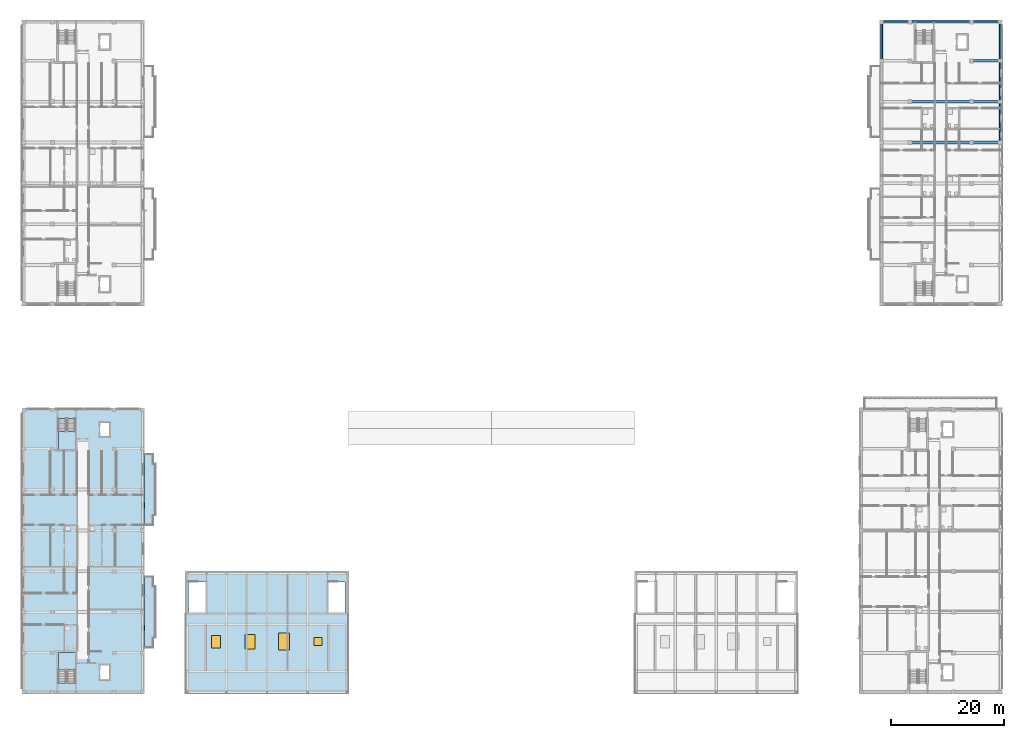
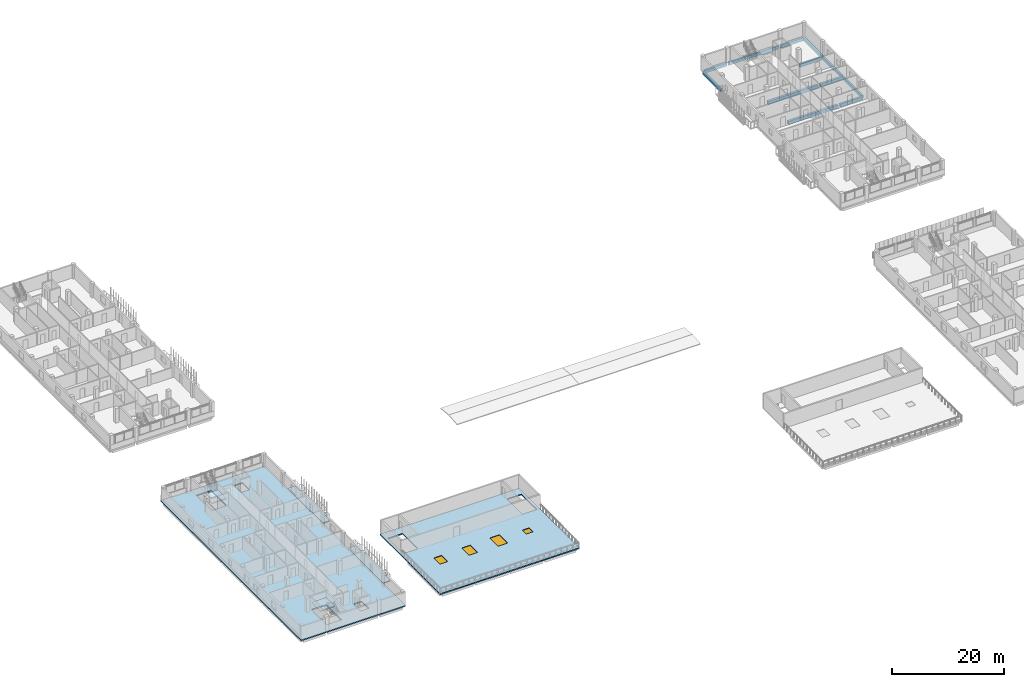
# One storey, part 21 of 56: 12 beams, 6 slabs, 4 windows, 4 openings, 2 elements without a shape of their own.
"""IFC4 building model written with IfcOpenShell, lengths in metres."""

from ifc_helpers import new_model, si_unit, derived_unit, direction, frame, origin, origin_2d, place, context, subcontext, project, spatial, polyline, rectangle, outline, extrude, material, layer, layer_set, material_profile, profile_set, type_object, element, fill, aggregate, save


model = new_model("IFC4")

# Units and contexts
model_context = context("Model", 3, precision=1e-05, world=origin(), true_north=direction((0.0, 1.0)))
body_context = subcontext(model_context, "Body", "Model", "MODEL_VIEW")
ifc_project = project(units=[si_unit("LENGTHUNIT", "METRE"), si_unit("AREAUNIT", "SQUARE_METRE"), si_unit("VOLUMEUNIT", "CUBIC_METRE"), si_unit("PLANEANGLEUNIT", "RADIAN"), si_unit("MASSUNIT", "GRAM", prefix="KILO"), derived_unit("THERMALTRANSMITTANCEUNIT", [(si_unit("MASSUNIT", "GRAM", prefix="KILO"), 1), (si_unit("TIMEUNIT", "SECOND"), -3), (si_unit("THERMODYNAMICTEMPERATUREUNIT", "KELVIN"), -1)])], contexts=[model_context])

# Site, building, storey
site_placement = place(None, origin())
site = spatial("IfcSite", under=ifc_project, at=site_placement, CompositionType="ELEMENT")
building_placement = place(site_placement, origin())
building = spatial("IfcBuilding", under=site, at=building_placement, Name="Ochrekiln Boulevard Commons", CompositionType="ELEMENT")
storey_placement = place(building_placement, frame((0.0, 0.0, 12.074951171875)))
storey = spatial("IfcBuildingStorey", under=building, at=storey_placement, Name="L03", CompositionType="ELEMENT", Elevation=12.074951171875)

# Beams
ifc_material_1 = material(Name="Concrete C35/45", Category="concrete")
ifc_material_profile_1 = material_profile(ifc_material_1, rectangle(XDim=0.449951171875, YDim=0.64990234375, at=origin_2d()), Name="RC-BM-450x650")
ifc_profile_set_1 = profile_set([ifc_material_profile_1], Name="Concrete C35/45")
beam_type_1 = type_object("IfcBeamType", Name="BM-RC-450x650", PredefinedType="BEAM", material=ifc_profile_set_1)
for number, where, z_axis, x_axis, name in (
    (1, (167.610107421875, 97.199951171875, -0.5849609375), (1.0, 0.0, 0.0), (0.0, 1.0, 0.0), "Block B L03 Beam B-4565 X14"),
    (2, (167.610107421875, 104.39990234375, -0.5849609375), (1.0, 0.0, 0.0), (0.0, 1.0, 0.0), "Block B L03 Beam B-4565 X17"),
    (3, (167.610107421875, 111.60009765625, -0.5849609375), (1.0, 0.0, 0.0), (0.0, 1.0, 0.0), "Block B L03 Beam B-4565 X19"),
):
    element("IfcBeam", number, at=place(storey_placement, frame(where, z_axis=z_axis, x_axis=x_axis)), inside=storey, type_object=beam_type_1, Name=name, PredefinedType="BEAM", context=body_context, shape_type="SweptSolid", body=[
        extrude(rectangle(XDim=0.449951171875, YDim=0.64990234375, at=origin_2d()), origin(), (0.0, 0.0, 1.0), 4.6298828125),
    ])
ifc_material_2 = material(Name="Concrete C40/50", Category="concrete")
ifc_material_profile_2 = material_profile(ifc_material_2, rectangle(XDim=0.5, YDim=0.699951171875, at=origin_2d()), Name="RC-BM-500x700")
ifc_profile_set_2 = profile_set([ifc_material_profile_2], Name="Concrete C40/50")
beam_type_2 = type_object("IfcBeamType", Name="BM-RC-500x700", PredefinedType="BEAM", material=ifc_profile_set_2)
for number, where, z_axis, x_axis, name in (
    (4, (156.81005859375, 97.199951171875, -0.60986328125), (1.0, 0.0, 0.0), (0.0, 1.0, 0.0), "Block B L03 Beam B-5070 X13"),
    (5, (156.81005859375, 104.39990234375, -0.60986328125), (1.0, 0.0, 0.0), (0.0, 1.0, 0.0), "Block B L03 Beam B-5070 X16"),
):
    element("IfcBeam", number, at=place(storey_placement, frame(where, z_axis=z_axis, x_axis=x_axis)), inside=storey, type_object=beam_type_2, Name=name, PredefinedType="BEAM", context=body_context, shape_type="SweptSolid", body=[
        extrude(rectangle(XDim=0.5, YDim=0.699951171875, at=origin_2d()), origin(), (0.0, 0.0, 1.0), 10.3798828125),
    ])
ifc_material_profile_3 = material_profile(ifc_material_2, rectangle(XDim=0.35009765625, YDim=0.64990234375, at=origin_2d()), Name="RC-SPN-350x650")
ifc_profile_set_3 = profile_set([ifc_material_profile_3], Name="Concrete C40/50")
beam_type_3 = type_object("IfcBeamType", Name="SPN-RC-350x650", PredefinedType="SPANDREL", material=ifc_profile_set_3)
beam_1_placement = place(storey_placement, frame((151.760009765625, 118.449951171875, -0.5849609375), z_axis=(1.0, 0.0, 0.0), x_axis=(0.0, 1.0, 0.0)))
element("IfcBeam", 6, at=beam_1_placement, inside=storey, type_object=beam_type_3, Name="Block B L03 Beam SP-3565 X20", PredefinedType="SPANDREL", context=body_context, shape_type="SweptSolid", body=[
    extrude(rectangle(XDim=0.35009765625, YDim=0.64990234375, at=origin_2d()), origin(), (0.0, 0.0, 1.0), 4.6298828125),
])
beam_2_placement = place(storey_placement, frame((156.81005859375, 118.449951171875, -0.5849609375), z_axis=(1.0, 0.0, 0.0), x_axis=(0.0, 1.0, 0.0)))
element("IfcBeam", 7, at=beam_2_placement, inside=storey, type_object=beam_type_3, Name="Block B L03 Beam SP-3565 X21", PredefinedType="SPANDREL", context=body_context, shape_type="SweptSolid", body=[
    extrude(rectangle(XDim=0.35009765625, YDim=0.64990234375, at=origin_2d()), origin(), (0.0, 0.0, 1.0), 10.3798828125),
])
beam_3_placement = place(storey_placement, frame((167.610107421875, 118.449951171875, -0.5849609375), z_axis=(1.0, 0.0, 0.0), x_axis=(0.0, 1.0, 0.0)))
element("IfcBeam", 8, at=beam_3_placement, inside=storey, type_object=beam_type_3, Name="Block B L03 Beam SP-3565 X22", PredefinedType="SPANDREL", context=body_context, shape_type="SweptSolid", body=[
    extrude(rectangle(XDim=0.35009765625, YDim=0.64990234375, at=origin_2d()), origin(), (0.0, 0.0, 1.0), 4.6298828125),
])
beam_4_placement = place(storey_placement, frame((151.550048828125, 111.81005859375, -0.5849609375), z_axis=(0.0, 1.0, 0.0), x_axis=(-1.0, 0.0, 0.0)))
element("IfcBeam", 9, at=beam_4_placement, inside=storey, type_object=beam_type_3, Name="Block B L03 Beam SP-3565 Y29", PredefinedType="SPANDREL", context=body_context, shape_type="SweptSolid", body=[
    extrude(rectangle(XDim=0.35009765625, YDim=0.64990234375, at=origin_2d()), origin(), (0.0, 0.0, 1.0), 6.429931640625),
])
beam_5_placement = place(storey_placement, frame((172.449951171875, 97.409912109375, -0.5849609375), z_axis=(0.0, 1.0, 0.0), x_axis=(-1.0, 0.0, 0.0)))
element("IfcBeam", 10, at=beam_5_placement, inside=storey, type_object=beam_type_3, Name="Block B L03 Beam SP-3565 Y34", PredefinedType="SPANDREL", context=body_context, shape_type="SweptSolid", body=[
    extrude(rectangle(XDim=0.35009765625, YDim=0.64990234375, at=origin_2d()), origin(), (0.0, 0.0, 1.0), 6.780029296875),
])
beam_6_placement = place(storey_placement, frame((172.449951171875, 104.610107421875, -0.5849609375), z_axis=(0.0, 1.0, 0.0), x_axis=(-1.0, 0.0, 0.0)))
element("IfcBeam", 11, at=beam_6_placement, inside=storey, type_object=beam_type_3, Name="Block B L03 Beam SP-3565 Y35", PredefinedType="SPANDREL", context=body_context, shape_type="SweptSolid", body=[
    extrude(rectangle(XDim=0.35009765625, YDim=0.64990234375, at=origin_2d()), origin(), (0.0, 0.0, 1.0), 6.77978515625),
])
beam_7_placement = place(storey_placement, frame((172.449951171875, 111.81005859375, -0.5849609375), z_axis=(0.0, 1.0, 0.0), x_axis=(-1.0, 0.0, 0.0)))
element("IfcBeam", 12, at=beam_7_placement, inside=storey, type_object=beam_type_3, Name="Block B L03 Beam SP-3565 Y36", PredefinedType="SPANDREL", context=body_context, shape_type="SweptSolid", body=[
    extrude(rectangle(XDim=0.35009765625, YDim=0.64990234375, at=origin_2d()), origin(), (0.0, 0.0, 1.0), 6.429931640625),
])

# Slabs
ifc_layer_1 = layer(ifc_material_1, 0.219970703125)
ifc_layer_set_1 = layer_set([ifc_layer_1], Name="Concrete C35/45")
slab_type_1 = type_object("IfcSlabType", Name="SLB-BAL-220", PredefinedType="FLOOR", material=ifc_layer_set_1)
slab_1_placement = place(storey_placement, frame((0.0, 0.0, -0.219970703125)))
element("IfcSlab", 13, at=slab_1_placement, inside=storey, type_object=slab_type_1, Name="Block D L03 Planter-Box Balcony Slab 1", PredefinedType="FLOOR", context=body_context, shape_type="SweptSolid", body=[
    extrude(outline(polyline([(21.60009765625, 8.10009765625), (23.14990234375, 8.10009765625), (23.14990234375, 9.89990234375), (23.60009765625, 9.89990234375), (23.60009765625, 18.89990234375), (23.14990234375, 18.89990234375), (23.14990234375, 20.699951171875), (21.60009765625, 20.699951171875), (21.60009765625, 8.10009765625)])), origin(), (0.0, 0.0, 1.0), 0.219970703125),
])
slab_2_placement = place(storey_placement, frame((0.0, 0.0, -0.219970703125)))
element("IfcSlab", 14, at=slab_2_placement, inside=storey, type_object=slab_type_1, Name="Block D L03 Planter-Box Balcony Slab 2", PredefinedType="FLOOR", context=body_context, shape_type="SweptSolid", body=[
    extrude(outline(polyline([(21.60009765625, 29.699951171875), (23.14990234375, 29.699951171875), (23.14990234375, 31.5), (23.60009765625, 31.5), (23.60009765625, 40.5), (23.14990234375, 40.5), (23.14990234375, 42.300048828125), (21.60009765625, 42.300048828125), (21.60009765625, 29.699951171875)])), origin(), (0.0, 0.0, 1.0), 0.219970703125),
])

# Stair, slab
stair_type = type_object("IfcStairType", Name="STR-DL-315", PredefinedType="TWO_STRAIGHT_RUN_STAIR", material=ifc_material_1)
stair_1_placement = place(storey_placement, origin())
stair_1 = element("IfcStair", 15, at=stair_1_placement, inside=storey, type_object=stair_type, Name="L03 Enclosed Exit Stair ST-D1", PredefinedType="TWO_STRAIGHT_RUN_STAIR")
ifc_layer_2 = layer(ifc_material_1, 0.199951171875)
ifc_layer_set_2 = layer_set([ifc_layer_2], Name="Concrete C35/45")
slab_type_2 = type_object("IfcSlabType", Name="SLB-LND-200", PredefinedType="LANDING", material=ifc_layer_set_2)
slab_3_placement = place(storey_placement, frame((0.0, 0.0, 1.375)))
slab_3 = element("IfcSlab", 16, at=slab_3_placement, type_object=slab_type_2, Name="ST-D1 landing 1", PredefinedType="LANDING", context=body_context, shape_type="SweptSolid", body=[
    extrude(outline(polyline([(9.39990234375, 4.18994140625), (9.39990234375, 7.320068359375), (6.39990234375, 7.320068359375), (6.39990234375, 4.18994140625), (9.39990234375, 4.18994140625)])), origin(), (0.0, 0.0, 1.0), 0.199951171875),
])
aggregate(stair_1, [slab_3])

stair_2_placement = place(storey_placement, origin())
stair_2 = element("IfcStair", 17, at=stair_2_placement, inside=storey, type_object=stair_type, Name="L03 Enclosed Exit Stair ST-D2", PredefinedType="TWO_STRAIGHT_RUN_STAIR")
slab_4_placement = place(storey_placement, frame((0.0, 0.0, 1.375)))
slab_4 = element("IfcSlab", 18, at=slab_4_placement, type_object=slab_type_2, Name="ST-D2 landing 1", PredefinedType="LANDING", context=body_context, shape_type="SweptSolid", body=[
    extrude(outline(polyline([(6.39990234375, 46.2099609375), (6.39990234375, 43.080078125), (9.39990234375, 43.080078125), (9.39990234375, 46.2099609375), (6.39990234375, 46.2099609375)])), origin(), (0.0, 0.0, 1.0), 0.199951171875),
])
aggregate(stair_2, [slab_4])

# Slab
ifc_layer_3 = layer(ifc_material_1, 0.260009765625)
ifc_layer_set_3 = layer_set([ifc_layer_3], Name="Concrete C35/45")
slab_type_3 = type_object("IfcSlabType", Name="SLB-RES-260", PredefinedType="FLOOR", material=ifc_layer_set_3)
slab_5_placement = place(storey_placement, frame((0.0, 0.0, -0.260009765625)))
element("IfcSlab", 19, at=slab_5_placement, inside=storey, type_object=slab_type_3, Name="Block D L03 Reinforced Concrete Floor Slab", PredefinedType="FLOOR", context=body_context, shape_type="SweptSolid", body=[
    extrude(outline(polyline([(0.0, 0.0), (21.60009765625, 0.0), (21.60009765625, 50.39990234375), (0.0, 50.39990234375), (0.0, 0.0)]), holes=[polyline([(9.39990234375, 1.87060546875), (9.39990234375, 7.320068359375), (6.39990234375, 7.320068359375), (6.39990234375, 1.87060546875), (9.39990234375, 1.87060546875)]), polyline([(6.39990234375, 48.529541015625), (6.39990234375, 43.080078125), (9.39990234375, 43.080078125), (9.39990234375, 48.529541015625), (6.39990234375, 48.529541015625)]), polyline([(13.75, 2.550048828125), (15.449951171875, 2.550048828125), (15.449951171875, 5.050048828125), (13.75, 5.050048828125), (13.75, 2.550048828125)]), polyline([(13.75, 45.35009765625), (15.449951171875, 45.35009765625), (15.449951171875, 47.85009765625), (13.75, 47.85009765625), (13.75, 45.35009765625)])]), origin(), (0.0, 0.0, 1.0), 0.260009765625),
])

# Slab, openings, windows
ifc_layer_4 = layer(ifc_material_1, 0.239990234375)
ifc_layer_set_4 = layer_set([ifc_layer_4], Name="Concrete C35/45")
slab_type_4 = type_object("IfcSlabType", Name="SLB-TERR-240", PredefinedType="ROOF", material=ifc_layer_set_4)
slab_6_placement = place(storey_placement, frame((0.0, 0.0, -0.239990234375)))
slab_6 = element("IfcSlab", 20, at=slab_6_placement, inside=storey, type_object=slab_type_4, Name="West Boulevard Arcade L03 Occupied Roof Terrace Slab", PredefinedType="ROOF", context=body_context, shape_type="SweptSolid", body=[
    extrude(outline(polyline([(28.800048828125, 0.0), (57.60009765625, 0.0), (57.60009765625, 21.60009765625), (28.800048828125, 21.60009765625), (28.800048828125, 0.0)]), holes=[polyline([(29.39990234375, 19.7294921875), (29.39990234375, 14.280029296875), (32.39990234375, 14.280029296875), (32.39990234375, 19.7294921875), (29.39990234375, 19.7294921875)]), polyline([(54.0, 19.7294921875), (54.0, 14.280029296875), (57.0, 14.280029296875), (57.0, 19.7294921875), (54.0, 19.7294921875)])]), origin(), (0.0, 0.0, 1.0), 0.239990234375),
])
opening_1_placement = place(slab_6_placement, frame((34.199951171875, 9.199951171875, 0.0)))
opening_1 = element("IfcOpeningElement", 21, at=opening_1_placement, cuts=slab_6, Name="Opening SK-01", PredefinedType="OPENING", context=body_context, shape_type="SweptSolid", body=[
    extrude(rectangle(XDim=1.60009765625, YDim=2.199951171875, at=origin_2d()), frame((0.0, 0.0, -0.010009765625)), (0.0, 0.0, 1.0), 0.260009765625),
])
opening_2_placement = place(slab_6_placement, frame((40.199951171875, 9.199951171875, 0.0)))
opening_2 = element("IfcOpeningElement", 22, at=opening_2_placement, cuts=slab_6, Name="Opening SK-02", PredefinedType="OPENING", context=body_context, shape_type="SweptSolid", body=[
    extrude(rectangle(XDim=1.800048828125, YDim=2.60009765625, at=origin_2d()), frame((0.0, 0.0, -0.010009765625)), (0.0, 0.0, 1.0), 0.260009765625),
])
opening_3_placement = place(slab_6_placement, frame((46.199951171875, 9.199951171875, 0.0)))
opening_3 = element("IfcOpeningElement", 23, at=opening_3_placement, cuts=slab_6, Name="Opening SK-03", PredefinedType="OPENING", context=body_context, shape_type="SweptSolid", body=[
    extrude(rectangle(XDim=2.0, YDim=3.0, at=origin_2d()), frame((0.0, 0.0, -0.010009765625)), (0.0, 0.0, 1.0), 0.260009765625),
])
opening_4_placement = place(slab_6_placement, frame((52.199951171875, 9.199951171875, 0.0)))
opening_4 = element("IfcOpeningElement", 24, at=opening_4_placement, cuts=slab_6, Name="Opening SK-04", PredefinedType="OPENING", context=body_context, shape_type="SweptSolid", body=[
    extrude(rectangle(XDim=1.39990234375, YDim=1.39990234375, at=origin_2d()), frame((0.0, 0.0, -0.010009765625)), (0.0, 0.0, 1.0), 0.260009765625),
])
ifc_material_3 = material(Name="Spectrally selective low-E insulated glazing", Category="glass")
window_type_1 = type_object("IfcWindowType", Name="WIN-SKY-01", PartitioningType="SINGLE_PANEL", PredefinedType="SKYLIGHT", material=ifc_material_3)
window_1_placement = place(opening_1_placement, frame((0.0, 0.0, 0.094970703125)))
window_1 = element("IfcWindow", 25, at=window_1_placement, inside=storey, type_object=window_type_1, Name="West Boulevard Arcade Maker Studio Roof Skylight 1", OverallHeight=2.199951171875, OverallWidth=1.60009765625, PartitioningType="SINGLE_PANEL", PredefinedType="SKYLIGHT", context=body_context, shape_type="SweptSolid", body=[
    extrude(rectangle(XDim=1.60009765625, YDim=2.199951171875, at=origin_2d()), origin(), (0.0, 0.0, 1.0), 0.050048828125),
])
fill(opening_1, window_1)
window_type_2 = type_object("IfcWindowType", Name="WIN-SKY-02", PartitioningType="SINGLE_PANEL", PredefinedType="SKYLIGHT", material=ifc_material_3)
window_2_placement = place(opening_2_placement, frame((0.0, 0.0, 0.094970703125)))
window_2 = element("IfcWindow", 26, at=window_2_placement, inside=storey, type_object=window_type_2, Name="West Boulevard Arcade Maker Studio Roof Skylight 2", OverallHeight=2.60009765625, OverallWidth=1.800048828125, PartitioningType="SINGLE_PANEL", PredefinedType="SKYLIGHT", context=body_context, shape_type="SweptSolid", body=[
    extrude(rectangle(XDim=1.800048828125, YDim=2.60009765625, at=origin_2d()), origin(), (0.0, 0.0, 1.0), 0.050048828125),
])
fill(opening_2, window_2)
window_type_3 = type_object("IfcWindowType", Name="WIN-SKY-03", PartitioningType="SINGLE_PANEL", PredefinedType="SKYLIGHT", material=ifc_material_3)
window_3_placement = place(opening_3_placement, frame((0.0, 0.0, 0.094970703125)))
window_3 = element("IfcWindow", 27, at=window_3_placement, inside=storey, type_object=window_type_3, Name="West Boulevard Arcade Maker Studio Roof Skylight 3", OverallHeight=3.0, OverallWidth=2.0, PartitioningType="SINGLE_PANEL", PredefinedType="SKYLIGHT", context=body_context, shape_type="SweptSolid", body=[
    extrude(rectangle(XDim=2.0, YDim=3.0, at=origin_2d()), origin(), (0.0, 0.0, 1.0), 0.050048828125),
])
fill(opening_3, window_3)
window_type_4 = type_object("IfcWindowType", Name="WIN-SKY-04", PartitioningType="SINGLE_PANEL", PredefinedType="SKYLIGHT", material=ifc_material_3)
window_4_placement = place(opening_4_placement, frame((0.0, 0.0, 0.094970703125)))
window_4 = element("IfcWindow", 28, at=window_4_placement, inside=storey, type_object=window_type_4, Name="West Boulevard Arcade Maker Studio Roof Skylight 4", OverallHeight=1.39990234375, OverallWidth=1.39990234375, PartitioningType="SINGLE_PANEL", PredefinedType="SKYLIGHT", context=body_context, shape_type="SweptSolid", body=[
    extrude(rectangle(XDim=1.39990234375, YDim=1.39990234375, at=origin_2d()), origin(), (0.0, 0.0, 1.0), 0.050048828125),
])
fill(opening_4, window_4)

save(model, "model.ifc")
